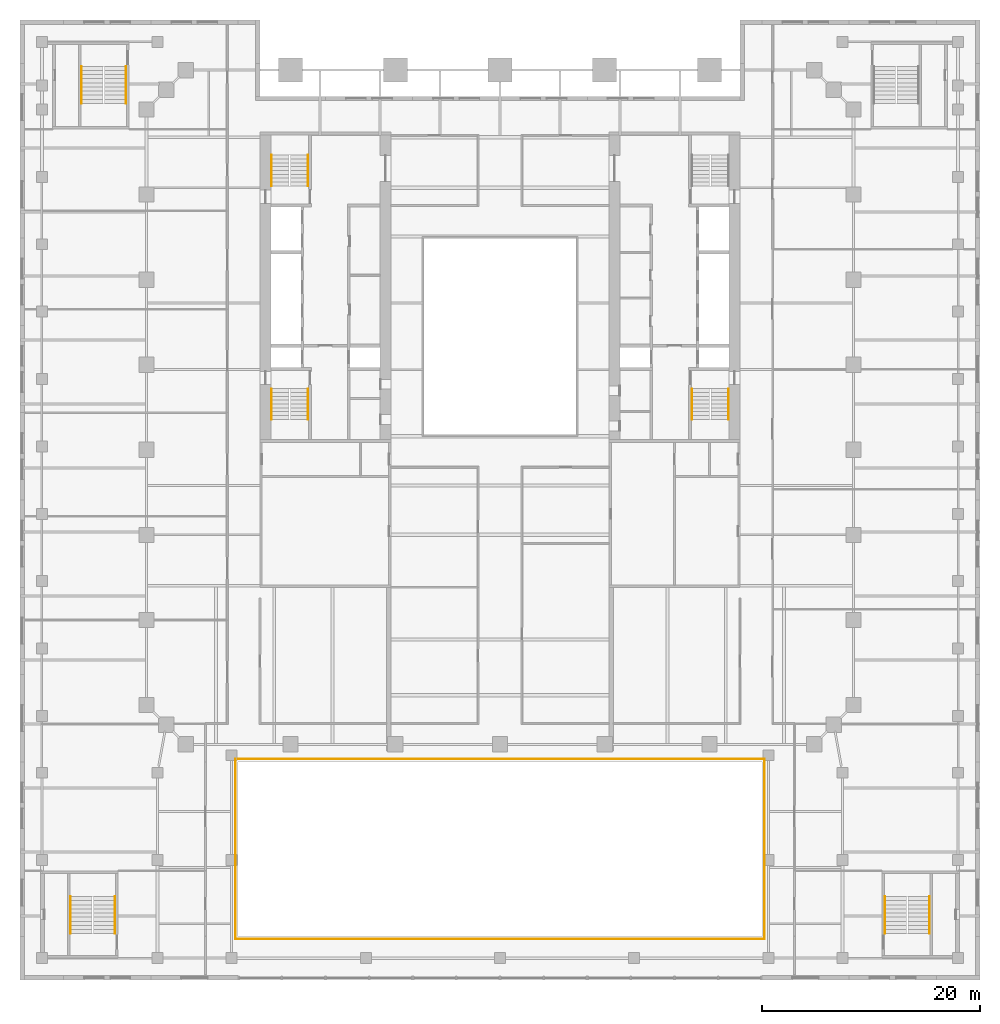
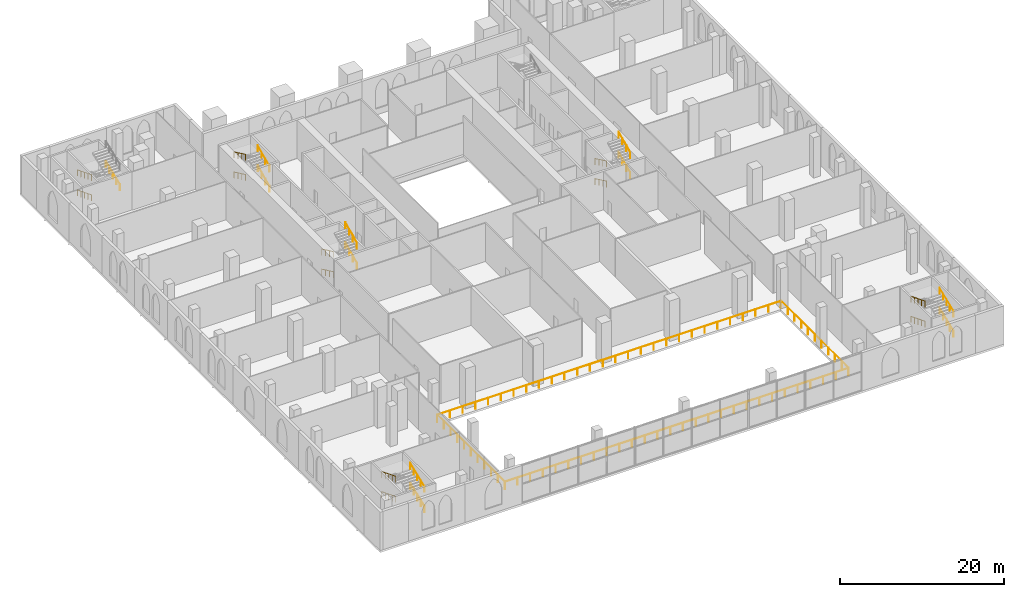
# One storey, part 20 of 21: 27 railings.
"""IFC4 building model written with IfcOpenShell, lengths in metres."""

import ifcopenshell
import ifcopenshell.guid

model = None  # the IFC model being written
_history = None  # IfcOwnerHistory: only IFC2X3 demands one
_inside = {}  # id of a spatial element -> (the spatial element, [elements in it])
_under = {}  # id of a project, library or spatial element -> (it, [spatial elements below it])
_declared = {}  # id of a project -> (the project, [libraries it declares])
_typed = {}  # id of a type object -> (the type object, [elements of that type])
_made_of = {}  # id of a material, layer set ... -> (it, [elements and type objects made of it])


def new_model(schema):
    """Start an empty IFC model of exactly this schema.

    Asked for "IFC4X3", IfcOpenShell would pick the latest addendum, in which some entities
    have other attributes; the version numbers below select the first issue.
    IFC2X3 requires an IfcOwnerHistory on every rooted entity: one is made here for all.
    """
    global model, _history
    if schema == "IFC4X3":
        model = ifcopenshell.file(schema_version=(4, 3, 0, 0))
    else:
        model = ifcopenshell.file(schema=schema)
    _inside.clear()
    _under.clear()
    _declared.clear()
    _typed.clear()
    _made_of.clear()
    _history = None
    if model.schema == "IFC2X3":
        org = make("IfcOrganization", Name="unknown")
        user = make(
            "IfcPersonAndOrganization",
            ThePerson=make("IfcPerson", FamilyName="unknown"),
            TheOrganization=org,
        )
        app = make(
            "IfcApplication",
            ApplicationDeveloper=org,
            Version="unknown",
            ApplicationFullName="unknown",
            ApplicationIdentifier="unknown",
        )
        _history = make(
            "IfcOwnerHistory",
            OwningUser=user,
            OwningApplication=app,
            ChangeAction="ADDED",
            CreationDate=0,
        )
    return model


def make(cls, **values):
    """One entity of the class cls with the attributes given. An attribute that is None is left unset."""
    return model.create_entity(
        cls, **{name: value for name, value in values.items() if value is not None}
    )


def rooted(cls, **values):
    """An entity with a GlobalId (a new one), such as an element, a storey or a relation."""
    return make(cls, GlobalId=ifcopenshell.guid.new(), OwnerHistory=_history, **values)


def si_unit(unit_type, name, prefix=None):
    """IfcSIUnit, for example si_unit("LENGTHUNIT", "METRE", prefix="MILLI")."""
    return make("IfcSIUnit", UnitType=unit_type, Prefix=prefix, Name=name)


def assignment(units):
    """IfcUnitAssignment: the units of a project."""
    return None if units is None else make("IfcUnitAssignment", Units=units)


def point(xyz):
    """IfcCartesianPoint."""
    return None if xyz is None else make("IfcCartesianPoint", Coordinates=xyz)


def direction(xyz):
    """IfcDirection."""
    return None if xyz is None else make("IfcDirection", DirectionRatios=xyz)


def frame(location, z_axis=None, x_axis=None):
    """IfcAxis2Placement3D, a coordinate frame: its origin and axes. An axis left out is left unset."""
    return make(
        "IfcAxis2Placement3D",
        Location=point(location),
        Axis=direction(z_axis),
        RefDirection=direction(x_axis),
    )


def frame_2d(location, x_axis=None):
    """IfcAxis2Placement2D, a coordinate frame in the plane: its origin and x axis."""
    return make(
        "IfcAxis2Placement2D", Location=point(location), RefDirection=direction(x_axis)
    )


def origin():
    """The frame at (0, 0, 0) with its axes left unset."""
    return frame((0.0, 0.0, 0.0))


def origin_2d():
    """The frame at (0, 0) in the plane with its x axis left unset."""
    return frame_2d((0.0, 0.0))


def place(relative_to, where):
    """IfcLocalPlacement: puts the frame where relative to a parent placement (None: the world)."""
    return make(
        "IfcLocalPlacement", PlacementRelTo=relative_to, RelativePlacement=where
    )


def context(
    kind, dimensions, precision=None, world=None, true_north=None, identifier=None
):
    """IfcGeometricRepresentationContext, for example the 3D "Model" context."""
    return make(
        "IfcGeometricRepresentationContext",
        ContextIdentifier=identifier,
        ContextType=kind,
        CoordinateSpaceDimension=dimensions,
        Precision=precision,
        WorldCoordinateSystem=world,
        TrueNorth=true_north,
    )


def subcontext(parent, identifier, kind, view, scale=None):
    """IfcGeometricRepresentationSubContext, for example "Body" below "Model"."""
    return make(
        "IfcGeometricRepresentationSubContext",
        ContextIdentifier=identifier,
        ContextType=kind,
        ParentContext=parent,
        TargetScale=scale,
        TargetView=view,
    )


def project(units=None, contexts=None):
    """IfcProject with its units and contexts."""
    return rooted(
        "IfcProject",
        Name="project",
        RepresentationContexts=contexts,
        UnitsInContext=assignment(units),
    )


def spatial(cls, under=None, at=None, **own):
    """A site, building, storey or space (cls), placed at a placement, below another one or the project."""
    s = rooted(cls, ObjectPlacement=at, **own)
    if under is not None:
        _under.setdefault(under.id(), (under, []))[1].append(s)
    return s


def profile(cls, at=None, kind="AREA", **sizes):
    """A parametric profile (cls). Its sizes go by their IFC names, for example OverallWidth=200.0."""
    return make(cls, ProfileType=kind, Position=at, **sizes)


def circle(**sizes):
    """IfcCircleProfileDef."""
    return profile("IfcCircleProfileDef", **sizes)


def extrude(swept, where, along, depth):
    """IfcExtrudedAreaSolid: the profile swept, set in the frame where, extruded along a direction by depth."""
    return make(
        "IfcExtrudedAreaSolid",
        SweptArea=swept,
        Position=where,
        ExtrudedDirection=direction(along),
        Depth=depth,
    )


def shape(context_of_items, identifier, shape_type, items):
    """IfcShapeRepresentation: the items that make up one representation, for example the "Body"."""
    return make(
        "IfcShapeRepresentation",
        ContextOfItems=context_of_items,
        RepresentationIdentifier=identifier,
        RepresentationType=shape_type,
        Items=items,
    )


def material(Name=None, Category=None):
    """IfcMaterial."""
    return make("IfcMaterial", Name=Name, Category=Category)


def made_of(thing, what):
    """Note that an element or type object is made of a material, layer set ...; save() writes the relation."""
    if what is not None:
        _made_of.setdefault(what.id(), (what, []))[1].append(thing)
    return thing


def type_object(cls, material=None, **own):
    """A type object (cls), such as IfcWallType, which elements share."""
    return made_of(rooted(cls, **own), material)


def element(
    cls,
    number,
    at=None,
    inside=None,
    cuts=None,
    type_object=None,
    material=None,
    context=None,
    identifier="Body",
    shape_type=None,
    held_by="IfcProductDefinitionShape",
    body=None,
    shapes=None,
    **own,
):
    """One element of the class cls, such as IfcWall. Its Tag is "e" and its number.

    at: its placement. inside: the storey or other place that contains it. cuts: it is an
    opening in that element (IfcRelVoidsElement). A single representation is given by context,
    identifier, shape_type and body (its items); several are given by shapes. held_by: the class
    of the entity that holds the representations. save() writes the other relations.
    """
    e = rooted(cls, Tag="e%d" % number, ObjectPlacement=at, **own)
    if body is not None:
        shapes = [shape(context, identifier, shape_type, body)]
    if shapes is not None:
        e.Representation = make(held_by, Representations=shapes)
    if inside is not None:
        _inside.setdefault(inside.id(), (inside, []))[1].append(e)
    if cuts is not None:
        rooted(
            "IfcRelVoidsElement", RelatingBuildingElement=cuts, RelatedOpeningElement=e
        )
    if type_object is not None:
        _typed.setdefault(type_object.id(), (type_object, []))[1].append(e)
    return made_of(e, material)


def aggregate(whole, parts):
    """IfcRelAggregates: a whole, such as a stair, and the parts it consists of."""
    return rooted("IfcRelAggregates", RelatingObject=whole, RelatedObjects=parts)


def save(model, path):
    """Write the relations noted so far, then the file.

    IfcRelAggregates (storeys below a building ...), IfcRelContainedInSpatialStructure (elements
    in a storey), IfcRelDefinesByType, IfcRelAssociatesMaterial and IfcRelDeclares: one each for
    every whole, place, type object, material and project.
    """
    for whole, parts in _under.values():
        aggregate(whole, parts)
    for where, things in _inside.values():
        rooted(
            "IfcRelContainedInSpatialStructure",
            RelatedElements=things,
            RelatingStructure=where,
        )
    for kind, things in _typed.values():
        rooted("IfcRelDefinesByType", RelatedObjects=things, RelatingType=kind)
    for what, things in _made_of.values():
        rooted("IfcRelAssociatesMaterial", RelatedObjects=things, RelatingMaterial=what)
    for by, libraries in _declared.values():
        rooted("IfcRelDeclares", RelatingContext=by, RelatedDefinitions=libraries)
    model.write(path)


model = new_model("IFC4")

# Units and contexts
model_context = context("Model", 3, precision=1e-05, world=origin(), true_north=direction((0.0, 1.0)))
body_context = subcontext(model_context, "Body", "Model", "MODEL_VIEW")
ifc_project = project(units=[si_unit("LENGTHUNIT", "METRE"), si_unit("AREAUNIT", "SQUARE_METRE"), si_unit("VOLUMEUNIT", "CUBIC_METRE"), si_unit("PLANEANGLEUNIT", "RADIAN"), si_unit("MASSUNIT", "GRAM", prefix="KILO")], contexts=[model_context])

# Site, building, storey
site_placement = place(None, origin())
site = spatial("IfcSite", under=ifc_project, at=site_placement, CompositionType="ELEMENT")
building_placement = place(site_placement, origin())
building = spatial("IfcBuilding", under=site, at=building_placement, Name="Ogive Exchange Tower", CompositionType="ELEMENT")
storey_placement = place(building_placement, frame((0.0, 0.0, 8.0)))
storey = spatial("IfcBuildingStorey", under=building, at=storey_placement, Name="L01", CompositionType="ELEMENT", Elevation=8.0)

# Railings
ifc_material_1 = material(Name="Stainless steel 316", Category="steel")
railing_type_1 = type_object("IfcRailingType", Name="Balustrade 1100 glass and stainless steel", PredefinedType="BALUSTRADE", material=ifc_material_1)
railing_1_placement = place(storey_placement, frame((-24.25, -48.25, 0.0)))
element("IfcRailing", 1, at=railing_1_placement, inside=storey, type_object=railing_type_1, Name="Galleria edge balustrade 1", PredefinedType="BALUSTRADE", context=body_context, shape_type="SweptSolid", body=[
    extrude(circle(Radius=0.02392578125, at=origin_2d()), frame((0.0, 0.0, 1.076171875), z_axis=(1.0, 0.0, 0.0), x_axis=(0.0, 1.0, 0.0)), (0.0, 0.0, 1.0), 48.5),
    extrude(circle(Radius=0.02099609375, at=origin_2d()), origin(), (0.0, 0.0, 1.0), 1.052001953125),
    extrude(circle(Radius=0.02099609375, at=origin_2d()), frame((1.79638671875, 0.0, 0.0)), (0.0, 0.0, 1.0), 1.052001953125),
    extrude(circle(Radius=0.02099609375, at=origin_2d()), frame((3.592529296875, 0.0, 0.0)), (0.0, 0.0, 1.0), 1.052001953125),
    extrude(circle(Radius=0.02099609375, at=origin_2d()), frame((5.388916015625, 0.0, 0.0)), (0.0, 0.0, 1.0), 1.052001953125),
    extrude(circle(Radius=0.02099609375, at=origin_2d()), frame((7.185302734375, 0.0, 0.0)), (0.0, 0.0, 1.0), 1.052001953125),
    extrude(circle(Radius=0.02099609375, at=origin_2d()), frame((8.9814453125, 0.0, 0.0)), (0.0, 0.0, 1.0), 1.052001953125),
    extrude(circle(Radius=0.02099609375, at=origin_2d()), frame((10.77783203125, 0.0, 0.0)), (0.0, 0.0, 1.0), 1.052001953125),
    extrude(circle(Radius=0.02099609375, at=origin_2d()), frame((12.573974609375, 0.0, 0.0)), (0.0, 0.0, 1.0), 1.052001953125),
    extrude(circle(Radius=0.02099609375, at=origin_2d()), frame((14.370361328125, 0.0, 0.0)), (0.0, 0.0, 1.0), 1.052001953125),
    extrude(circle(Radius=0.02099609375, at=origin_2d()), frame((16.166748046875, 0.0, 0.0)), (0.0, 0.0, 1.0), 1.052001953125),
    extrude(circle(Radius=0.02099609375, at=origin_2d()), frame((17.962890625, 0.0, 0.0)), (0.0, 0.0, 1.0), 1.052001953125),
    extrude(circle(Radius=0.02099609375, at=origin_2d()), frame((19.75927734375, 0.0, 0.0)), (0.0, 0.0, 1.0), 1.052001953125),
    extrude(circle(Radius=0.02099609375, at=origin_2d()), frame((21.5556640625, 0.0, 0.0)), (0.0, 0.0, 1.0), 1.052001953125),
    extrude(circle(Radius=0.02099609375, at=origin_2d()), frame((23.351806640625, 0.0, 0.0)), (0.0, 0.0, 1.0), 1.052001953125),
    extrude(circle(Radius=0.02099609375, at=origin_2d()), frame((25.148193359375, 0.0, 0.0)), (0.0, 0.0, 1.0), 1.052001953125),
    extrude(circle(Radius=0.02099609375, at=origin_2d()), frame((26.9443359375, 0.0, 0.0)), (0.0, 0.0, 1.0), 1.052001953125),
    extrude(circle(Radius=0.02099609375, at=origin_2d()), frame((28.74072265625, 0.0, 0.0)), (0.0, 0.0, 1.0), 1.052001953125),
    extrude(circle(Radius=0.02099609375, at=origin_2d()), frame((30.537109375, 0.0, 0.0)), (0.0, 0.0, 1.0), 1.052001953125),
    extrude(circle(Radius=0.02099609375, at=origin_2d()), frame((32.333251953125, 0.0, 0.0)), (0.0, 0.0, 1.0), 1.052001953125),
    extrude(circle(Radius=0.02099609375, at=origin_2d()), frame((34.129638671875, 0.0, 0.0)), (0.0, 0.0, 1.0), 1.052001953125),
    extrude(circle(Radius=0.02099609375, at=origin_2d()), frame((35.926025390625, 0.0, 0.0)), (0.0, 0.0, 1.0), 1.052001953125),
    extrude(circle(Radius=0.02099609375, at=origin_2d()), frame((37.72216796875, 0.0, 0.0)), (0.0, 0.0, 1.0), 1.052001953125),
    extrude(circle(Radius=0.02099609375, at=origin_2d()), frame((39.5185546875, 0.0, 0.0)), (0.0, 0.0, 1.0), 1.052001953125),
    extrude(circle(Radius=0.02099609375, at=origin_2d()), frame((41.314697265625, 0.0, 0.0)), (0.0, 0.0, 1.0), 1.052001953125),
    extrude(circle(Radius=0.02099609375, at=origin_2d()), frame((43.111083984375, 0.0, 0.0)), (0.0, 0.0, 1.0), 1.052001953125),
    extrude(circle(Radius=0.02099609375, at=origin_2d()), frame((44.907470703125, 0.0, 0.0)), (0.0, 0.0, 1.0), 1.052001953125),
    extrude(circle(Radius=0.02099609375, at=origin_2d()), frame((46.70361328125, 0.0, 0.0)), (0.0, 0.0, 1.0), 1.052001953125),
    extrude(circle(Radius=0.02099609375, at=origin_2d()), frame((48.5, 0.0, 0.0)), (0.0, 0.0, 1.0), 1.052001953125),
])
railing_2_placement = place(storey_placement, frame((24.25, -48.25, 0.0)))
element("IfcRailing", 2, at=railing_2_placement, inside=storey, type_object=railing_type_1, Name="Galleria edge balustrade 2", PredefinedType="BALUSTRADE", context=body_context, shape_type="SweptSolid", body=[
    extrude(circle(Radius=0.02392578125, at=origin_2d()), frame((0.0, 0.0, 1.076171875), z_axis=(0.0, 1.0, 0.0), x_axis=(-1.0, 0.0, 0.0)), (0.0, 0.0, 1.0), 16.5),
    extrude(circle(Radius=0.02099609375, at=origin_2d()), origin(), (0.0, 0.0, 1.0), 1.052001953125),
    extrude(circle(Radius=0.02099609375, at=origin_2d()), frame((0.0, 1.64990234375, 0.0)), (0.0, 0.0, 1.0), 1.052001953125),
    extrude(circle(Radius=0.02099609375, at=origin_2d()), frame((0.0, 3.300048828125, 0.0)), (0.0, 0.0, 1.0), 1.052001953125),
    extrude(circle(Radius=0.02099609375, at=origin_2d()), frame((0.0, 4.949951171875, 0.0)), (0.0, 0.0, 1.0), 1.052001953125),
    extrude(circle(Radius=0.02099609375, at=origin_2d()), frame((0.0, 6.60009765625, 0.0)), (0.0, 0.0, 1.0), 1.052001953125),
    extrude(circle(Radius=0.02099609375, at=origin_2d()), frame((0.0, 8.25, 0.0)), (0.0, 0.0, 1.0), 1.052001953125),
    extrude(circle(Radius=0.02099609375, at=origin_2d()), frame((0.0, 9.89990234375, 0.0)), (0.0, 0.0, 1.0), 1.052001953125),
    extrude(circle(Radius=0.02099609375, at=origin_2d()), frame((0.0, 11.550048828125, 0.0)), (0.0, 0.0, 1.0), 1.052001953125),
    extrude(circle(Radius=0.02099609375, at=origin_2d()), frame((0.0, 13.199951171875, 0.0)), (0.0, 0.0, 1.0), 1.052001953125),
    extrude(circle(Radius=0.02099609375, at=origin_2d()), frame((0.0, 14.85009765625, 0.0)), (0.0, 0.0, 1.0), 1.052001953125),
    extrude(circle(Radius=0.02099609375, at=origin_2d()), frame((0.0, 16.5, 0.0)), (0.0, 0.0, 1.0), 1.052001953125),
])
railing_3_placement = place(storey_placement, frame((24.25, -31.75, 0.0)))
element("IfcRailing", 3, at=railing_3_placement, inside=storey, type_object=railing_type_1, Name="Galleria edge balustrade 3", PredefinedType="BALUSTRADE", context=body_context, shape_type="SweptSolid", body=[
    extrude(circle(Radius=0.02392578125, at=origin_2d()), frame((0.0, 0.0, 1.076171875), z_axis=(-1.0, 0.0, 0.0), x_axis=(0.0, -1.0, 0.0)), (0.0, 0.0, 1.0), 48.5),
    extrude(circle(Radius=0.02099609375, at=origin_2d()), origin(), (0.0, 0.0, 1.0), 1.052001953125),
    extrude(circle(Radius=0.02099609375, at=origin_2d()), frame((-1.79638671875, 0.0, 0.0)), (0.0, 0.0, 1.0), 1.052001953125),
    extrude(circle(Radius=0.02099609375, at=origin_2d()), frame((-3.592529296875, 0.0, 0.0)), (0.0, 0.0, 1.0), 1.052001953125),
    extrude(circle(Radius=0.02099609375, at=origin_2d()), frame((-5.388916015625, 0.0, 0.0)), (0.0, 0.0, 1.0), 1.052001953125),
    extrude(circle(Radius=0.02099609375, at=origin_2d()), frame((-7.185302734375, 0.0, 0.0)), (0.0, 0.0, 1.0), 1.052001953125),
    extrude(circle(Radius=0.02099609375, at=origin_2d()), frame((-8.9814453125, 0.0, 0.0)), (0.0, 0.0, 1.0), 1.052001953125),
    extrude(circle(Radius=0.02099609375, at=origin_2d()), frame((-10.77783203125, 0.0, 0.0)), (0.0, 0.0, 1.0), 1.052001953125),
    extrude(circle(Radius=0.02099609375, at=origin_2d()), frame((-12.573974609375, 0.0, 0.0)), (0.0, 0.0, 1.0), 1.052001953125),
    extrude(circle(Radius=0.02099609375, at=origin_2d()), frame((-14.370361328125, 0.0, 0.0)), (0.0, 0.0, 1.0), 1.052001953125),
    extrude(circle(Radius=0.02099609375, at=origin_2d()), frame((-16.166748046875, 0.0, 0.0)), (0.0, 0.0, 1.0), 1.052001953125),
    extrude(circle(Radius=0.02099609375, at=origin_2d()), frame((-17.962890625, 0.0, 0.0)), (0.0, 0.0, 1.0), 1.052001953125),
    extrude(circle(Radius=0.02099609375, at=origin_2d()), frame((-19.75927734375, 0.0, 0.0)), (0.0, 0.0, 1.0), 1.052001953125),
    extrude(circle(Radius=0.02099609375, at=origin_2d()), frame((-21.5556640625, 0.0, 0.0)), (0.0, 0.0, 1.0), 1.052001953125),
    extrude(circle(Radius=0.02099609375, at=origin_2d()), frame((-23.351806640625, 0.0, 0.0)), (0.0, 0.0, 1.0), 1.052001953125),
    extrude(circle(Radius=0.02099609375, at=origin_2d()), frame((-25.148193359375, 0.0, 0.0)), (0.0, 0.0, 1.0), 1.052001953125),
    extrude(circle(Radius=0.02099609375, at=origin_2d()), frame((-26.9443359375, 0.0, 0.0)), (0.0, 0.0, 1.0), 1.052001953125),
    extrude(circle(Radius=0.02099609375, at=origin_2d()), frame((-28.74072265625, 0.0, 0.0)), (0.0, 0.0, 1.0), 1.052001953125),
    extrude(circle(Radius=0.02099609375, at=origin_2d()), frame((-30.537109375, 0.0, 0.0)), (0.0, 0.0, 1.0), 1.052001953125),
    extrude(circle(Radius=0.02099609375, at=origin_2d()), frame((-32.333251953125, 0.0, 0.0)), (0.0, 0.0, 1.0), 1.052001953125),
    extrude(circle(Radius=0.02099609375, at=origin_2d()), frame((-34.129638671875, 0.0, 0.0)), (0.0, 0.0, 1.0), 1.052001953125),
    extrude(circle(Radius=0.02099609375, at=origin_2d()), frame((-35.926025390625, 0.0, 0.0)), (0.0, 0.0, 1.0), 1.052001953125),
    extrude(circle(Radius=0.02099609375, at=origin_2d()), frame((-37.72216796875, 0.0, 0.0)), (0.0, 0.0, 1.0), 1.052001953125),
    extrude(circle(Radius=0.02099609375, at=origin_2d()), frame((-39.5185546875, 0.0, 0.0)), (0.0, 0.0, 1.0), 1.052001953125),
    extrude(circle(Radius=0.02099609375, at=origin_2d()), frame((-41.314697265625, 0.0, 0.0)), (0.0, 0.0, 1.0), 1.052001953125),
    extrude(circle(Radius=0.02099609375, at=origin_2d()), frame((-43.111083984375, 0.0, 0.0)), (0.0, 0.0, 1.0), 1.052001953125),
    extrude(circle(Radius=0.02099609375, at=origin_2d()), frame((-44.907470703125, 0.0, 0.0)), (0.0, 0.0, 1.0), 1.052001953125),
    extrude(circle(Radius=0.02099609375, at=origin_2d()), frame((-46.70361328125, 0.0, 0.0)), (0.0, 0.0, 1.0), 1.052001953125),
    extrude(circle(Radius=0.02099609375, at=origin_2d()), frame((-48.5, 0.0, 0.0)), (0.0, 0.0, 1.0), 1.052001953125),
])
railing_4_placement = place(storey_placement, frame((-24.25, -31.75, 0.0)))
element("IfcRailing", 4, at=railing_4_placement, inside=storey, type_object=railing_type_1, Name="Galleria edge balustrade 4", PredefinedType="BALUSTRADE", context=body_context, shape_type="SweptSolid", body=[
    extrude(circle(Radius=0.02392578125, at=origin_2d()), frame((0.0, 0.0, 1.076171875), z_axis=(0.0, -1.0, 0.0), x_axis=(1.0, 0.0, 0.0)), (0.0, 0.0, 1.0), 16.5),
    extrude(circle(Radius=0.02099609375, at=origin_2d()), origin(), (0.0, 0.0, 1.0), 1.052001953125),
    extrude(circle(Radius=0.02099609375, at=origin_2d()), frame((0.0, -1.64990234375, 0.0)), (0.0, 0.0, 1.0), 1.052001953125),
    extrude(circle(Radius=0.02099609375, at=origin_2d()), frame((0.0, -3.300048828125, 0.0)), (0.0, 0.0, 1.0), 1.052001953125),
    extrude(circle(Radius=0.02099609375, at=origin_2d()), frame((0.0, -4.949951171875, 0.0)), (0.0, 0.0, 1.0), 1.052001953125),
    extrude(circle(Radius=0.02099609375, at=origin_2d()), frame((0.0, -6.60009765625, 0.0)), (0.0, 0.0, 1.0), 1.052001953125),
    extrude(circle(Radius=0.02099609375, at=origin_2d()), frame((0.0, -8.25, 0.0)), (0.0, 0.0, 1.0), 1.052001953125),
    extrude(circle(Radius=0.02099609375, at=origin_2d()), frame((0.0, -9.89990234375, 0.0)), (0.0, 0.0, 1.0), 1.052001953125),
    extrude(circle(Radius=0.02099609375, at=origin_2d()), frame((0.0, -11.550048828125, 0.0)), (0.0, 0.0, 1.0), 1.052001953125),
    extrude(circle(Radius=0.02099609375, at=origin_2d()), frame((0.0, -13.199951171875, 0.0)), (0.0, 0.0, 1.0), 1.052001953125),
    extrude(circle(Radius=0.02099609375, at=origin_2d()), frame((0.0, -14.85009765625, 0.0)), (0.0, 0.0, 1.0), 1.052001953125),
    extrude(circle(Radius=0.02099609375, at=origin_2d()), frame((0.0, -16.5, 0.0)), (0.0, 0.0, 1.0), 1.052001953125),
])
ifc_material_2 = material(Name="Stainless steel", Category="steel")
railing_type_2 = type_object("IfcRailingType", Name="Stair handrail 900", PredefinedType="HANDRAIL", material=ifc_material_2)
railing_5_placement = place(storey_placement, frame((-20.949951171875, 2.199951171875, 0.166748046875)))
element("IfcRailing", 5, at=railing_5_placement, inside=storey, type_object=railing_type_2, Name="L01 ST1 stair handrail 1", PredefinedType="HANDRAIL", context=body_context, shape_type="SweptSolid", body=[
    extrude(circle(Radius=0.02392578125, at=origin_2d()), frame((0.0, 0.0, 0.8759765625), z_axis=(0.0, -0.903337615296, 0.428930242338), x_axis=(1.0, 0.0, 0.0)), (0.0, 0.0, 1.0), 3.1083984375),
    extrude(circle(Radius=0.02099609375, at=origin_2d()), origin(), (0.0, 0.0, 1.0), 0.851806640625),
    extrude(circle(Radius=0.02099609375, at=origin_2d()), frame((0.0, -0.93603515625, 0.4443359375)), (0.0, 0.0, 1.0), 0.851806640625),
    extrude(circle(Radius=0.02099609375, at=origin_2d()), frame((0.0, -1.871826171875, 0.888916015625)), (0.0, 0.0, 1.0), 0.851806640625),
    extrude(circle(Radius=0.02099609375, at=origin_2d()), frame((0.0, -2.807861328125, 1.333251953125)), (0.0, 0.0, 1.0), 0.851806640625),
])
railing_6_placement = place(storey_placement, frame((-17.60009765625, -0.60791015625, 1.666748046875)))
element("IfcRailing", 6, at=railing_6_placement, inside=storey, type_object=railing_type_2, Name="L01 ST1 stair handrail 2", PredefinedType="HANDRAIL", context=body_context, shape_type="SweptSolid", body=[
    extrude(circle(Radius=0.02392578125, at=origin_2d()), frame((0.0, 0.0, 0.8759765625), z_axis=(0.0, 0.903337615296, 0.428930242338), x_axis=(-1.0, 0.0, 0.0)), (0.0, 0.0, 1.0), 3.1083984375),
    extrude(circle(Radius=0.02099609375, at=origin_2d()), origin(), (0.0, 0.0, 1.0), 0.851806640625),
    extrude(circle(Radius=0.02099609375, at=origin_2d()), frame((0.0, 0.93603515625, 0.4443359375)), (0.0, 0.0, 1.0), 0.851806640625),
    extrude(circle(Radius=0.02099609375, at=origin_2d()), frame((0.0, 1.871826171875, 0.888916015625)), (0.0, 0.0, 1.0), 0.851806640625),
    extrude(circle(Radius=0.02099609375, at=origin_2d()), frame((0.0, 2.807861328125, 1.333251953125)), (0.0, 0.0, 1.0), 0.851806640625),
])
railing_7_placement = place(storey_placement, frame((-20.949951171875, 2.199951171875, 3.166748046875)))
element("IfcRailing", 7, at=railing_7_placement, inside=storey, type_object=railing_type_2, Name="L01 ST1 stair handrail 3", PredefinedType="HANDRAIL", context=body_context, shape_type="SweptSolid", body=[
    extrude(circle(Radius=0.02392578125, at=origin_2d()), frame((0.0, 0.0, 0.8759765625), z_axis=(0.0, -0.903337615296, 0.428930242338), x_axis=(1.0, 0.0, 0.0)), (0.0, 0.0, 1.0), 3.1083984375),
    extrude(circle(Radius=0.02099609375, at=origin_2d()), origin(), (0.0, 0.0, 1.0), 0.851806640625),
    extrude(circle(Radius=0.02099609375, at=origin_2d()), frame((0.0, -0.93603515625, 0.4443359375)), (0.0, 0.0, 1.0), 0.851806640625),
    extrude(circle(Radius=0.02099609375, at=origin_2d()), frame((0.0, -1.871826171875, 0.888916015625)), (0.0, 0.0, 1.0), 0.851806640625),
    extrude(circle(Radius=0.02099609375, at=origin_2d()), frame((0.0, -2.807861328125, 1.333251953125)), (0.0, 0.0, 1.0), 0.851806640625),
])
for number, where, name in (
    (8, (-17.60009765625, -0.60791015625, 4.666748046875), "L01 ST1 stair handrail 4"),
    (9, (-17.60009765625, 20.800048828125, 0.166748046875), "L01 ST2 stair handrail 1"),
):
    element("IfcRailing", number, at=place(storey_placement, frame(where)), inside=storey, type_object=railing_type_2, Name=name, PredefinedType="HANDRAIL", context=body_context, shape_type="SweptSolid", body=[
        extrude(circle(Radius=0.02392578125, at=origin_2d()), frame((0.0, 0.0, 0.8759765625), z_axis=(0.0, 0.903337615296, 0.428930242338), x_axis=(-1.0, 0.0, 0.0)), (0.0, 0.0, 1.0), 3.1083984375),
        extrude(circle(Radius=0.02099609375, at=origin_2d()), origin(), (0.0, 0.0, 1.0), 0.851806640625),
        extrude(circle(Radius=0.02099609375, at=origin_2d()), frame((0.0, 0.93603515625, 0.4443359375)), (0.0, 0.0, 1.0), 0.851806640625),
        extrude(circle(Radius=0.02099609375, at=origin_2d()), frame((0.0, 1.871826171875, 0.888916015625)), (0.0, 0.0, 1.0), 0.851806640625),
        extrude(circle(Radius=0.02099609375, at=origin_2d()), frame((0.0, 2.807861328125, 1.333251953125)), (0.0, 0.0, 1.0), 0.851806640625),
    ])
railing_8_placement = place(storey_placement, frame((-20.949951171875, 23.60791015625, 1.666748046875)))
element("IfcRailing", 10, at=railing_8_placement, inside=storey, type_object=railing_type_2, Name="L01 ST2 stair handrail 2", PredefinedType="HANDRAIL", context=body_context, shape_type="SweptSolid", body=[
    extrude(circle(Radius=0.02392578125, at=origin_2d()), frame((0.0, 0.0, 0.8759765625), z_axis=(0.0, -0.903337615296, 0.428930242338), x_axis=(1.0, 0.0, 0.0)), (0.0, 0.0, 1.0), 3.1083984375),
    extrude(circle(Radius=0.02099609375, at=origin_2d()), origin(), (0.0, 0.0, 1.0), 0.851806640625),
    extrude(circle(Radius=0.02099609375, at=origin_2d()), frame((0.0, -0.93603515625, 0.4443359375)), (0.0, 0.0, 1.0), 0.851806640625),
    extrude(circle(Radius=0.02099609375, at=origin_2d()), frame((0.0, -1.871826171875, 0.888916015625)), (0.0, 0.0, 1.0), 0.851806640625),
    extrude(circle(Radius=0.02099609375, at=origin_2d()), frame((0.0, -2.807861328125, 1.333251953125)), (0.0, 0.0, 1.0), 0.851806640625),
])
railing_9_placement = place(storey_placement, frame((-17.60009765625, 20.800048828125, 3.166748046875)))
element("IfcRailing", 11, at=railing_9_placement, inside=storey, type_object=railing_type_2, Name="L01 ST2 stair handrail 3", PredefinedType="HANDRAIL", context=body_context, shape_type="SweptSolid", body=[
    extrude(circle(Radius=0.02392578125, at=origin_2d()), frame((0.0, 0.0, 0.8759765625), z_axis=(0.0, 0.903337615296, 0.428930242338), x_axis=(-1.0, 0.0, 0.0)), (0.0, 0.0, 1.0), 3.1083984375),
    extrude(circle(Radius=0.02099609375, at=origin_2d()), origin(), (0.0, 0.0, 1.0), 0.851806640625),
    extrude(circle(Radius=0.02099609375, at=origin_2d()), frame((0.0, 0.93603515625, 0.4443359375)), (0.0, 0.0, 1.0), 0.851806640625),
    extrude(circle(Radius=0.02099609375, at=origin_2d()), frame((0.0, 1.871826171875, 0.888916015625)), (0.0, 0.0, 1.0), 0.851806640625),
    extrude(circle(Radius=0.02099609375, at=origin_2d()), frame((0.0, 2.807861328125, 1.333251953125)), (0.0, 0.0, 1.0), 0.851806640625),
])
for number, where, name in (
    (12, (-20.949951171875, 23.60791015625, 4.666748046875), "L01 ST2 stair handrail 4"),
    (13, (17.60009765625, 2.199951171875, 0.166748046875), "L01 ST3 stair handrail 1"),
):
    element("IfcRailing", number, at=place(storey_placement, frame(where)), inside=storey, type_object=railing_type_2, Name=name, PredefinedType="HANDRAIL", context=body_context, shape_type="SweptSolid", body=[
        extrude(circle(Radius=0.02392578125, at=origin_2d()), frame((0.0, 0.0, 0.8759765625), z_axis=(0.0, -0.903337615296, 0.428930242338), x_axis=(1.0, 0.0, 0.0)), (0.0, 0.0, 1.0), 3.1083984375),
        extrude(circle(Radius=0.02099609375, at=origin_2d()), origin(), (0.0, 0.0, 1.0), 0.851806640625),
        extrude(circle(Radius=0.02099609375, at=origin_2d()), frame((0.0, -0.93603515625, 0.4443359375)), (0.0, 0.0, 1.0), 0.851806640625),
        extrude(circle(Radius=0.02099609375, at=origin_2d()), frame((0.0, -1.871826171875, 0.888916015625)), (0.0, 0.0, 1.0), 0.851806640625),
        extrude(circle(Radius=0.02099609375, at=origin_2d()), frame((0.0, -2.807861328125, 1.333251953125)), (0.0, 0.0, 1.0), 0.851806640625),
    ])
railing_10_placement = place(storey_placement, frame((20.949951171875, -0.60791015625, 1.666748046875)))
element("IfcRailing", 14, at=railing_10_placement, inside=storey, type_object=railing_type_2, Name="L01 ST3 stair handrail 2", PredefinedType="HANDRAIL", context=body_context, shape_type="SweptSolid", body=[
    extrude(circle(Radius=0.02392578125, at=origin_2d()), frame((0.0, 0.0, 0.8759765625), z_axis=(0.0, 0.903337615296, 0.428930242338), x_axis=(-1.0, 0.0, 0.0)), (0.0, 0.0, 1.0), 3.1083984375),
    extrude(circle(Radius=0.02099609375, at=origin_2d()), origin(), (0.0, 0.0, 1.0), 0.851806640625),
    extrude(circle(Radius=0.02099609375, at=origin_2d()), frame((0.0, 0.93603515625, 0.4443359375)), (0.0, 0.0, 1.0), 0.851806640625),
    extrude(circle(Radius=0.02099609375, at=origin_2d()), frame((0.0, 1.871826171875, 0.888916015625)), (0.0, 0.0, 1.0), 0.851806640625),
    extrude(circle(Radius=0.02099609375, at=origin_2d()), frame((0.0, 2.807861328125, 1.333251953125)), (0.0, 0.0, 1.0), 0.851806640625),
])
railing_11_placement = place(storey_placement, frame((17.60009765625, 2.199951171875, 3.166748046875)))
element("IfcRailing", 15, at=railing_11_placement, inside=storey, type_object=railing_type_2, Name="L01 ST3 stair handrail 3", PredefinedType="HANDRAIL", context=body_context, shape_type="SweptSolid", body=[
    extrude(circle(Radius=0.02392578125, at=origin_2d()), frame((0.0, 0.0, 0.8759765625), z_axis=(0.0, -0.903337615296, 0.428930242338), x_axis=(1.0, 0.0, 0.0)), (0.0, 0.0, 1.0), 3.1083984375),
    extrude(circle(Radius=0.02099609375, at=origin_2d()), origin(), (0.0, 0.0, 1.0), 0.851806640625),
    extrude(circle(Radius=0.02099609375, at=origin_2d()), frame((0.0, -0.93603515625, 0.4443359375)), (0.0, 0.0, 1.0), 0.851806640625),
    extrude(circle(Radius=0.02099609375, at=origin_2d()), frame((0.0, -1.871826171875, 0.888916015625)), (0.0, 0.0, 1.0), 0.851806640625),
    extrude(circle(Radius=0.02099609375, at=origin_2d()), frame((0.0, -2.807861328125, 1.333251953125)), (0.0, 0.0, 1.0), 0.851806640625),
])
railing_12_placement = place(storey_placement, frame((20.949951171875, -0.60791015625, 4.666748046875)))
element("IfcRailing", 16, at=railing_12_placement, inside=storey, type_object=railing_type_2, Name="L01 ST3 stair handrail 4", PredefinedType="HANDRAIL", context=body_context, shape_type="SweptSolid", body=[
    extrude(circle(Radius=0.02392578125, at=origin_2d()), frame((0.0, 0.0, 0.8759765625), z_axis=(0.0, 0.903337615296, 0.428930242338), x_axis=(-1.0, 0.0, 0.0)), (0.0, 0.0, 1.0), 3.1083984375),
    extrude(circle(Radius=0.02099609375, at=origin_2d()), origin(), (0.0, 0.0, 1.0), 0.851806640625),
    extrude(circle(Radius=0.02099609375, at=origin_2d()), frame((0.0, 0.93603515625, 0.4443359375)), (0.0, 0.0, 1.0), 0.851806640625),
    extrude(circle(Radius=0.02099609375, at=origin_2d()), frame((0.0, 1.871826171875, 0.888916015625)), (0.0, 0.0, 1.0), 0.851806640625),
    extrude(circle(Radius=0.02099609375, at=origin_2d()), frame((0.0, 2.807861328125, 1.333251953125)), (0.0, 0.0, 1.0), 0.851806640625),
])
railing_13_placement = place(storey_placement, frame((-35.300048828125, -47.75, 0.14990234375)))
element("IfcRailing", 17, at=railing_13_placement, inside=storey, type_object=railing_type_2, Name="L01 PS1 stair handrail 1", PredefinedType="HANDRAIL", context=body_context, shape_type="SweptSolid", body=[
    extrude(circle(Radius=0.02392578125, at=origin_2d()), frame((0.0, 0.0, 0.8759765625), z_axis=(0.0, 0.929485266345, 0.368859240968), x_axis=(-1.0, 0.0, 0.0)), (0.0, 0.0, 1.0), 3.66015625),
    extrude(circle(Radius=0.02099609375, at=origin_2d()), origin(), (0.0, 0.0, 1.0), 0.851806640625),
    extrude(circle(Radius=0.02099609375, at=origin_2d()), frame((0.0, 0.8505859375, 0.33740234375)), (0.0, 0.0, 1.0), 0.851806640625),
    extrude(circle(Radius=0.02099609375, at=origin_2d()), frame((0.0, 1.701171875, 0.675048828125)), (0.0, 0.0, 1.0), 0.851806640625),
    extrude(circle(Radius=0.02099609375, at=origin_2d()), frame((0.0, 2.551513671875, 1.0126953125)), (0.0, 0.0, 1.0), 0.851806640625),
    extrude(circle(Radius=0.02099609375, at=origin_2d()), frame((0.0, 3.402099609375, 1.35009765625)), (0.0, 0.0, 1.0), 0.851806640625),
])
railing_14_placement = place(storey_placement, frame((-39.35009765625, -44.347900390625, 1.64990234375)))
element("IfcRailing", 18, at=railing_14_placement, inside=storey, type_object=railing_type_2, Name="L01 PS1 stair handrail 2", PredefinedType="HANDRAIL", context=body_context, shape_type="SweptSolid", body=[
    extrude(circle(Radius=0.02392578125, at=origin_2d()), frame((0.0, 0.0, 0.8759765625), z_axis=(0.0, -0.929485266345, 0.368859240968), x_axis=(1.0, 0.0, 0.0)), (0.0, 0.0, 1.0), 3.66015625),
    extrude(circle(Radius=0.02099609375, at=origin_2d()), origin(), (0.0, 0.0, 1.0), 0.851806640625),
    extrude(circle(Radius=0.02099609375, at=origin_2d()), frame((0.0, -0.8505859375, 0.33740234375)), (0.0, 0.0, 1.0), 0.851806640625),
    extrude(circle(Radius=0.02099609375, at=origin_2d()), frame((0.0, -1.701171875, 0.675048828125)), (0.0, 0.0, 1.0), 0.851806640625),
    extrude(circle(Radius=0.02099609375, at=origin_2d()), frame((0.0, -2.551513671875, 1.0126953125)), (0.0, 0.0, 1.0), 0.851806640625),
    extrude(circle(Radius=0.02099609375, at=origin_2d()), frame((0.0, -3.402099609375, 1.35009765625)), (0.0, 0.0, 1.0), 0.851806640625),
])
railing_15_placement = place(storey_placement, frame((-35.300048828125, -47.75, 3.14990234375)))
element("IfcRailing", 19, at=railing_15_placement, inside=storey, type_object=railing_type_2, Name="L01 PS1 stair handrail 3", PredefinedType="HANDRAIL", context=body_context, shape_type="SweptSolid", body=[
    extrude(circle(Radius=0.02392578125, at=origin_2d()), frame((0.0, 0.0, 0.8759765625), z_axis=(0.0, 0.929485266345, 0.368859240968), x_axis=(-1.0, 0.0, 0.0)), (0.0, 0.0, 1.0), 3.66015625),
    extrude(circle(Radius=0.02099609375, at=origin_2d()), origin(), (0.0, 0.0, 1.0), 0.851806640625),
    extrude(circle(Radius=0.02099609375, at=origin_2d()), frame((0.0, 0.8505859375, 0.33740234375)), (0.0, 0.0, 1.0), 0.851806640625),
    extrude(circle(Radius=0.02099609375, at=origin_2d()), frame((0.0, 1.701171875, 0.675048828125)), (0.0, 0.0, 1.0), 0.851806640625),
    extrude(circle(Radius=0.02099609375, at=origin_2d()), frame((0.0, 2.551513671875, 1.0126953125)), (0.0, 0.0, 1.0), 0.851806640625),
    extrude(circle(Radius=0.02099609375, at=origin_2d()), frame((0.0, 3.402099609375, 1.35009765625)), (0.0, 0.0, 1.0), 0.851806640625),
])
railing_16_placement = place(storey_placement, frame((-39.35009765625, -44.347900390625, 4.64990234375)))
element("IfcRailing", 20, at=railing_16_placement, inside=storey, type_object=railing_type_2, Name="L01 PS1 stair handrail 4", PredefinedType="HANDRAIL", context=body_context, shape_type="SweptSolid", body=[
    extrude(circle(Radius=0.02392578125, at=origin_2d()), frame((0.0, 0.0, 0.8759765625), z_axis=(0.0, -0.929485266345, 0.368859240968), x_axis=(1.0, 0.0, 0.0)), (0.0, 0.0, 1.0), 3.66015625),
    extrude(circle(Radius=0.02099609375, at=origin_2d()), origin(), (0.0, 0.0, 1.0), 0.851806640625),
    extrude(circle(Radius=0.02099609375, at=origin_2d()), frame((0.0, -0.8505859375, 0.33740234375)), (0.0, 0.0, 1.0), 0.851806640625),
    extrude(circle(Radius=0.02099609375, at=origin_2d()), frame((0.0, -1.701171875, 0.675048828125)), (0.0, 0.0, 1.0), 0.851806640625),
    extrude(circle(Radius=0.02099609375, at=origin_2d()), frame((0.0, -2.551513671875, 1.0126953125)), (0.0, 0.0, 1.0), 0.851806640625),
    extrude(circle(Radius=0.02099609375, at=origin_2d()), frame((0.0, -3.402099609375, 1.35009765625)), (0.0, 0.0, 1.0), 0.851806640625),
])
railing_17_placement = place(storey_placement, frame((39.35009765625, -47.75, 0.14990234375)))
element("IfcRailing", 21, at=railing_17_placement, inside=storey, type_object=railing_type_2, Name="L01 PS2 stair handrail 1", PredefinedType="HANDRAIL", context=body_context, shape_type="SweptSolid", body=[
    extrude(circle(Radius=0.02392578125, at=origin_2d()), frame((0.0, 0.0, 0.8759765625), z_axis=(0.0, 0.929485266345, 0.368859240968), x_axis=(-1.0, 0.0, 0.0)), (0.0, 0.0, 1.0), 3.66015625),
    extrude(circle(Radius=0.02099609375, at=origin_2d()), origin(), (0.0, 0.0, 1.0), 0.851806640625),
    extrude(circle(Radius=0.02099609375, at=origin_2d()), frame((0.0, 0.8505859375, 0.33740234375)), (0.0, 0.0, 1.0), 0.851806640625),
    extrude(circle(Radius=0.02099609375, at=origin_2d()), frame((0.0, 1.701171875, 0.675048828125)), (0.0, 0.0, 1.0), 0.851806640625),
    extrude(circle(Radius=0.02099609375, at=origin_2d()), frame((0.0, 2.551513671875, 1.0126953125)), (0.0, 0.0, 1.0), 0.851806640625),
    extrude(circle(Radius=0.02099609375, at=origin_2d()), frame((0.0, 3.402099609375, 1.35009765625)), (0.0, 0.0, 1.0), 0.851806640625),
])
railing_18_placement = place(storey_placement, frame((35.300048828125, -44.347900390625, 1.64990234375)))
element("IfcRailing", 22, at=railing_18_placement, inside=storey, type_object=railing_type_2, Name="L01 PS2 stair handrail 2", PredefinedType="HANDRAIL", context=body_context, shape_type="SweptSolid", body=[
    extrude(circle(Radius=0.02392578125, at=origin_2d()), frame((0.0, 0.0, 0.8759765625), z_axis=(0.0, -0.929485266345, 0.368859240968), x_axis=(1.0, 0.0, 0.0)), (0.0, 0.0, 1.0), 3.66015625),
    extrude(circle(Radius=0.02099609375, at=origin_2d()), origin(), (0.0, 0.0, 1.0), 0.851806640625),
    extrude(circle(Radius=0.02099609375, at=origin_2d()), frame((0.0, -0.8505859375, 0.33740234375)), (0.0, 0.0, 1.0), 0.851806640625),
    extrude(circle(Radius=0.02099609375, at=origin_2d()), frame((0.0, -1.701171875, 0.675048828125)), (0.0, 0.0, 1.0), 0.851806640625),
    extrude(circle(Radius=0.02099609375, at=origin_2d()), frame((0.0, -2.551513671875, 1.0126953125)), (0.0, 0.0, 1.0), 0.851806640625),
    extrude(circle(Radius=0.02099609375, at=origin_2d()), frame((0.0, -3.402099609375, 1.35009765625)), (0.0, 0.0, 1.0), 0.851806640625),
])
railing_19_placement = place(storey_placement, frame((39.35009765625, -47.75, 3.14990234375)))
element("IfcRailing", 23, at=railing_19_placement, inside=storey, type_object=railing_type_2, Name="L01 PS2 stair handrail 3", PredefinedType="HANDRAIL", context=body_context, shape_type="SweptSolid", body=[
    extrude(circle(Radius=0.02392578125, at=origin_2d()), frame((0.0, 0.0, 0.8759765625), z_axis=(0.0, 0.929485266345, 0.368859240968), x_axis=(-1.0, 0.0, 0.0)), (0.0, 0.0, 1.0), 3.66015625),
    extrude(circle(Radius=0.02099609375, at=origin_2d()), origin(), (0.0, 0.0, 1.0), 0.851806640625),
    extrude(circle(Radius=0.02099609375, at=origin_2d()), frame((0.0, 0.8505859375, 0.33740234375)), (0.0, 0.0, 1.0), 0.851806640625),
    extrude(circle(Radius=0.02099609375, at=origin_2d()), frame((0.0, 1.701171875, 0.675048828125)), (0.0, 0.0, 1.0), 0.851806640625),
    extrude(circle(Radius=0.02099609375, at=origin_2d()), frame((0.0, 2.551513671875, 1.0126953125)), (0.0, 0.0, 1.0), 0.851806640625),
    extrude(circle(Radius=0.02099609375, at=origin_2d()), frame((0.0, 3.402099609375, 1.35009765625)), (0.0, 0.0, 1.0), 0.851806640625),
])
for number, where, name in (
    (24, (35.300048828125, -44.347900390625, 4.64990234375), "L01 PS2 stair handrail 4"),
    (25, (-38.35009765625, 31.75, 0.14990234375), "L01 PS3 stair handrail 1"),
):
    element("IfcRailing", number, at=place(storey_placement, frame(where)), inside=storey, type_object=railing_type_2, Name=name, PredefinedType="HANDRAIL", context=body_context, shape_type="SweptSolid", body=[
        extrude(circle(Radius=0.02392578125, at=origin_2d()), frame((0.0, 0.0, 0.8759765625), z_axis=(0.0, -0.929485266345, 0.368859240968), x_axis=(1.0, 0.0, 0.0)), (0.0, 0.0, 1.0), 3.66015625),
        extrude(circle(Radius=0.02099609375, at=origin_2d()), origin(), (0.0, 0.0, 1.0), 0.851806640625),
        extrude(circle(Radius=0.02099609375, at=origin_2d()), frame((0.0, -0.8505859375, 0.33740234375)), (0.0, 0.0, 1.0), 0.851806640625),
        extrude(circle(Radius=0.02099609375, at=origin_2d()), frame((0.0, -1.701171875, 0.675048828125)), (0.0, 0.0, 1.0), 0.851806640625),
        extrude(circle(Radius=0.02099609375, at=origin_2d()), frame((0.0, -2.551513671875, 1.0126953125)), (0.0, 0.0, 1.0), 0.851806640625),
        extrude(circle(Radius=0.02099609375, at=origin_2d()), frame((0.0, -3.402099609375, 1.35009765625)), (0.0, 0.0, 1.0), 0.851806640625),
    ])
railing_20_placement = place(storey_placement, frame((-34.300048828125, 28.347900390625, 1.64990234375)))
element("IfcRailing", 26, at=railing_20_placement, inside=storey, type_object=railing_type_2, Name="L01 PS3 stair handrail 2", PredefinedType="HANDRAIL", context=body_context, shape_type="SweptSolid", body=[
    extrude(circle(Radius=0.02392578125, at=origin_2d()), frame((0.0, 0.0, 0.8759765625), z_axis=(0.0, 0.929485266345, 0.368859240968), x_axis=(-1.0, 0.0, 0.0)), (0.0, 0.0, 1.0), 3.66015625),
    extrude(circle(Radius=0.02099609375, at=origin_2d()), origin(), (0.0, 0.0, 1.0), 0.851806640625),
    extrude(circle(Radius=0.02099609375, at=origin_2d()), frame((0.0, 0.8505859375, 0.33740234375)), (0.0, 0.0, 1.0), 0.851806640625),
    extrude(circle(Radius=0.02099609375, at=origin_2d()), frame((0.0, 1.701171875, 0.675048828125)), (0.0, 0.0, 1.0), 0.851806640625),
    extrude(circle(Radius=0.02099609375, at=origin_2d()), frame((0.0, 2.551513671875, 1.0126953125)), (0.0, 0.0, 1.0), 0.851806640625),
    extrude(circle(Radius=0.02099609375, at=origin_2d()), frame((0.0, 3.402099609375, 1.35009765625)), (0.0, 0.0, 1.0), 0.851806640625),
])
railing_21_placement = place(storey_placement, frame((-38.35009765625, 31.75, 3.14990234375)))
element("IfcRailing", 27, at=railing_21_placement, inside=storey, type_object=railing_type_2, Name="L01 PS3 stair handrail 3", PredefinedType="HANDRAIL", context=body_context, shape_type="SweptSolid", body=[
    extrude(circle(Radius=0.02392578125, at=origin_2d()), frame((0.0, 0.0, 0.8759765625), z_axis=(0.0, -0.929485266345, 0.368859240968), x_axis=(1.0, 0.0, 0.0)), (0.0, 0.0, 1.0), 3.66015625),
    extrude(circle(Radius=0.02099609375, at=origin_2d()), origin(), (0.0, 0.0, 1.0), 0.851806640625),
    extrude(circle(Radius=0.02099609375, at=origin_2d()), frame((0.0, -0.8505859375, 0.33740234375)), (0.0, 0.0, 1.0), 0.851806640625),
    extrude(circle(Radius=0.02099609375, at=origin_2d()), frame((0.0, -1.701171875, 0.675048828125)), (0.0, 0.0, 1.0), 0.851806640625),
    extrude(circle(Radius=0.02099609375, at=origin_2d()), frame((0.0, -2.551513671875, 1.0126953125)), (0.0, 0.0, 1.0), 0.851806640625),
    extrude(circle(Radius=0.02099609375, at=origin_2d()), frame((0.0, -3.402099609375, 1.35009765625)), (0.0, 0.0, 1.0), 0.851806640625),
])

save(model, "model.ifc")
